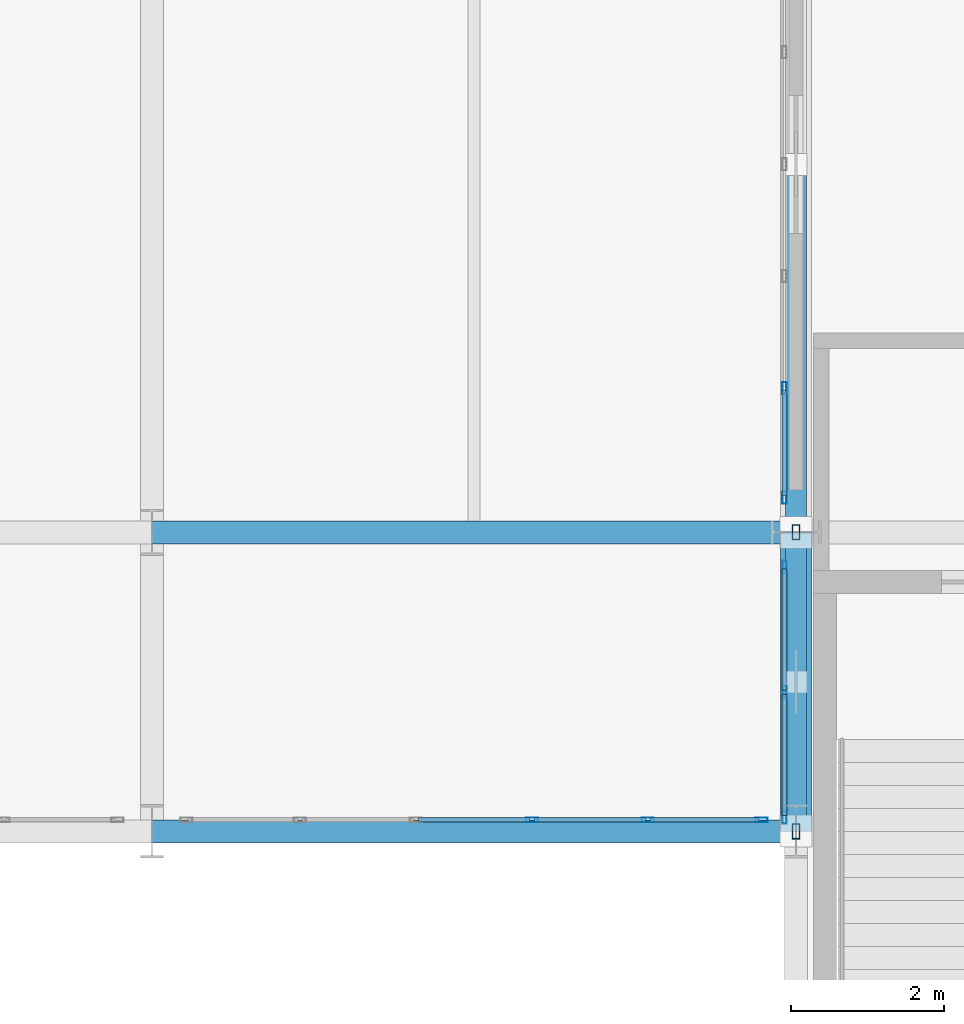
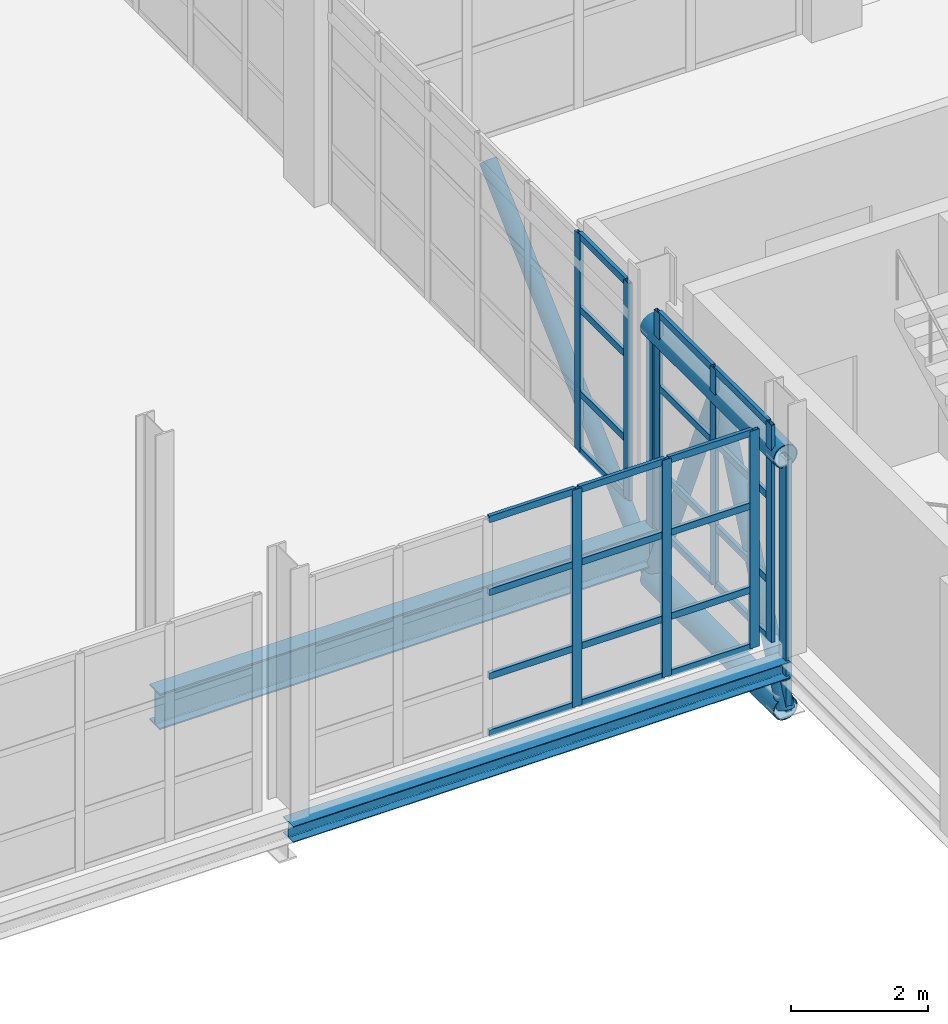
# One storey, part 15 of 130: 39 members, 2 beams, 3 elements without a shape of their own.
"""IFC4 building model written with IfcOpenShell, lengths in metres."""

import ifcopenshell
import ifcopenshell.guid

model = None  # the IFC model being written
_history = None  # IfcOwnerHistory: only IFC2X3 demands one
_inside = {}  # id of a spatial element -> (the spatial element, [elements in it])
_under = {}  # id of a project, library or spatial element -> (it, [spatial elements below it])
_declared = {}  # id of a project -> (the project, [libraries it declares])
_typed = {}  # id of a type object -> (the type object, [elements of that type])
_made_of = {}  # id of a material, layer set ... -> (it, [elements and type objects made of it])


def new_model(schema):
    """Start an empty IFC model of exactly this schema.

    Asked for "IFC4X3", IfcOpenShell would pick the latest addendum, in which some entities
    have other attributes; the version numbers below select the first issue.
    IFC2X3 requires an IfcOwnerHistory on every rooted entity: one is made here for all.
    """
    global model, _history
    if schema == "IFC4X3":
        model = ifcopenshell.file(schema_version=(4, 3, 0, 0))
    else:
        model = ifcopenshell.file(schema=schema)
    _inside.clear()
    _under.clear()
    _declared.clear()
    _typed.clear()
    _made_of.clear()
    _history = None
    if model.schema == "IFC2X3":
        org = make("IfcOrganization", Name="unknown")
        user = make(
            "IfcPersonAndOrganization",
            ThePerson=make("IfcPerson", FamilyName="unknown"),
            TheOrganization=org,
        )
        app = make(
            "IfcApplication",
            ApplicationDeveloper=org,
            Version="unknown",
            ApplicationFullName="unknown",
            ApplicationIdentifier="unknown",
        )
        _history = make(
            "IfcOwnerHistory",
            OwningUser=user,
            OwningApplication=app,
            ChangeAction="ADDED",
            CreationDate=0,
        )
    return model


def make(cls, **values):
    """One entity of the class cls with the attributes given. An attribute that is None is left unset."""
    return model.create_entity(
        cls, **{name: value for name, value in values.items() if value is not None}
    )


def rooted(cls, **values):
    """An entity with a GlobalId (a new one), such as an element, a storey or a relation."""
    return make(cls, GlobalId=ifcopenshell.guid.new(), OwnerHistory=_history, **values)


def si_unit(unit_type, name, prefix=None):
    """IfcSIUnit, for example si_unit("LENGTHUNIT", "METRE", prefix="MILLI")."""
    return make("IfcSIUnit", UnitType=unit_type, Prefix=prefix, Name=name)


def assignment(units):
    """IfcUnitAssignment: the units of a project."""
    return None if units is None else make("IfcUnitAssignment", Units=units)


def point(xyz):
    """IfcCartesianPoint."""
    return None if xyz is None else make("IfcCartesianPoint", Coordinates=xyz)


def direction(xyz):
    """IfcDirection."""
    return None if xyz is None else make("IfcDirection", DirectionRatios=xyz)


def frame(location, z_axis=None, x_axis=None):
    """IfcAxis2Placement3D, a coordinate frame: its origin and axes. An axis left out is left unset."""
    return make(
        "IfcAxis2Placement3D",
        Location=point(location),
        Axis=direction(z_axis),
        RefDirection=direction(x_axis),
    )


def frame_2d(location, x_axis=None):
    """IfcAxis2Placement2D, a coordinate frame in the plane: its origin and x axis."""
    return make(
        "IfcAxis2Placement2D", Location=point(location), RefDirection=direction(x_axis)
    )


def origin():
    """The frame at (0, 0, 0) with its axes left unset."""
    return frame((0.0, 0.0, 0.0))


def origin_2d():
    """The frame at (0, 0) in the plane with its x axis left unset."""
    return frame_2d((0.0, 0.0))


def place(relative_to, where):
    """IfcLocalPlacement: puts the frame where relative to a parent placement (None: the world)."""
    return make(
        "IfcLocalPlacement", PlacementRelTo=relative_to, RelativePlacement=where
    )


def context(
    kind, dimensions, precision=None, world=None, true_north=None, identifier=None
):
    """IfcGeometricRepresentationContext, for example the 3D "Model" context."""
    return make(
        "IfcGeometricRepresentationContext",
        ContextIdentifier=identifier,
        ContextType=kind,
        CoordinateSpaceDimension=dimensions,
        Precision=precision,
        WorldCoordinateSystem=world,
        TrueNorth=true_north,
    )


def subcontext(parent, identifier, kind, view, scale=None):
    """IfcGeometricRepresentationSubContext, for example "Body" below "Model"."""
    return make(
        "IfcGeometricRepresentationSubContext",
        ContextIdentifier=identifier,
        ContextType=kind,
        ParentContext=parent,
        TargetScale=scale,
        TargetView=view,
    )


def project(units=None, contexts=None):
    """IfcProject with its units and contexts."""
    return rooted(
        "IfcProject",
        Name="project",
        RepresentationContexts=contexts,
        UnitsInContext=assignment(units),
    )


def spatial(cls, under=None, at=None, **own):
    """A site, building, storey or space (cls), placed at a placement, below another one or the project."""
    s = rooted(cls, ObjectPlacement=at, **own)
    if under is not None:
        _under.setdefault(under.id(), (under, []))[1].append(s)
    return s


def profile(cls, at=None, kind="AREA", **sizes):
    """A parametric profile (cls). Its sizes go by their IFC names, for example OverallWidth=200.0."""
    return make(cls, ProfileType=kind, Position=at, **sizes)


def hollow_rectangle(**sizes):
    """IfcRectangleHollowProfileDef."""
    return profile("IfcRectangleHollowProfileDef", **sizes)


def hollow_circle(**sizes):
    """IfcCircleHollowProfileDef."""
    return profile("IfcCircleHollowProfileDef", **sizes)


def i_section(**sizes):
    """IfcIShapeProfileDef."""
    return profile("IfcIShapeProfileDef", **sizes)


def extrude(swept, where, along, depth):
    """IfcExtrudedAreaSolid: the profile swept, set in the frame where, extruded along a direction by depth."""
    return make(
        "IfcExtrudedAreaSolid",
        SweptArea=swept,
        Position=where,
        ExtrudedDirection=direction(along),
        Depth=depth,
    )


def shape(context_of_items, identifier, shape_type, items):
    """IfcShapeRepresentation: the items that make up one representation, for example the "Body"."""
    return make(
        "IfcShapeRepresentation",
        ContextOfItems=context_of_items,
        RepresentationIdentifier=identifier,
        RepresentationType=shape_type,
        Items=items,
    )


def material(Name=None, Category=None):
    """IfcMaterial."""
    return make("IfcMaterial", Name=Name, Category=Category)


def material_profile(
    of_material, cross_section, Name=None, Category=None, Priority=None
):
    """IfcMaterialProfile: a cross section and its material."""
    return make(
        "IfcMaterialProfile",
        Name=Name,
        Material=of_material,
        Profile=cross_section,
        Priority=Priority,
        Category=Category,
    )


def profile_set(profiles, Name=None, composite=None):
    """IfcMaterialProfileSet."""
    return make(
        "IfcMaterialProfileSet",
        Name=Name,
        MaterialProfiles=profiles,
        CompositeProfile=composite,
    )


def made_of(thing, what):
    """Note that an element or type object is made of a material, layer set ...; save() writes the relation."""
    if what is not None:
        _made_of.setdefault(what.id(), (what, []))[1].append(thing)
    return thing


def type_object(cls, material=None, **own):
    """A type object (cls), such as IfcWallType, which elements share."""
    return made_of(rooted(cls, **own), material)


def element(
    cls,
    number,
    at=None,
    inside=None,
    cuts=None,
    type_object=None,
    material=None,
    context=None,
    identifier="Body",
    shape_type=None,
    held_by="IfcProductDefinitionShape",
    body=None,
    shapes=None,
    **own,
):
    """One element of the class cls, such as IfcWall. Its Tag is "e" and its number.

    at: its placement. inside: the storey or other place that contains it. cuts: it is an
    opening in that element (IfcRelVoidsElement). A single representation is given by context,
    identifier, shape_type and body (its items); several are given by shapes. held_by: the class
    of the entity that holds the representations. save() writes the other relations.
    """
    e = rooted(cls, Tag="e%d" % number, ObjectPlacement=at, **own)
    if body is not None:
        shapes = [shape(context, identifier, shape_type, body)]
    if shapes is not None:
        e.Representation = make(held_by, Representations=shapes)
    if inside is not None:
        _inside.setdefault(inside.id(), (inside, []))[1].append(e)
    if cuts is not None:
        rooted(
            "IfcRelVoidsElement", RelatingBuildingElement=cuts, RelatedOpeningElement=e
        )
    if type_object is not None:
        _typed.setdefault(type_object.id(), (type_object, []))[1].append(e)
    return made_of(e, material)


def aggregate(whole, parts):
    """IfcRelAggregates: a whole, such as a stair, and the parts it consists of."""
    return rooted("IfcRelAggregates", RelatingObject=whole, RelatedObjects=parts)


def save(model, path):
    """Write the relations noted so far, then the file.

    IfcRelAggregates (storeys below a building ...), IfcRelContainedInSpatialStructure (elements
    in a storey), IfcRelDefinesByType, IfcRelAssociatesMaterial and IfcRelDeclares: one each for
    every whole, place, type object, material and project.
    """
    for whole, parts in _under.values():
        aggregate(whole, parts)
    for where, things in _inside.values():
        rooted(
            "IfcRelContainedInSpatialStructure",
            RelatedElements=things,
            RelatingStructure=where,
        )
    for kind, things in _typed.values():
        rooted("IfcRelDefinesByType", RelatedObjects=things, RelatingType=kind)
    for what, things in _made_of.values():
        rooted("IfcRelAssociatesMaterial", RelatedObjects=things, RelatingMaterial=what)
    for by, libraries in _declared.values():
        rooted("IfcRelDeclares", RelatingContext=by, RelatedDefinitions=libraries)
    model.write(path)


model = new_model("IFC4")

# Units and contexts
model_context = context("Model", 3, precision=1e-05, world=origin(), true_north=direction((0.0, 1.0)))
body_context = subcontext(model_context, "Body", "Model", "MODEL_VIEW")
ifc_project = project(units=[si_unit("LENGTHUNIT", "METRE"), si_unit("AREAUNIT", "SQUARE_METRE"), si_unit("VOLUMEUNIT", "CUBIC_METRE"), si_unit("PLANEANGLEUNIT", "RADIAN"), si_unit("MASSUNIT", "GRAM", prefix="KILO")], contexts=[model_context])

# Site, building, storey
site_placement = place(None, origin())
site = spatial("IfcSite", under=ifc_project, at=site_placement, CompositionType="ELEMENT")
building_placement = place(site_placement, origin())
building = spatial("IfcBuilding", under=site, at=building_placement, Name="Veltarok Museum of Natural Sciences", CompositionType="ELEMENT")
storey_placement = place(building_placement, frame((0.0, 0.0, 12.89990234375)))
storey = spatial("IfcBuildingStorey", under=building, at=storey_placement, Name="L02", CompositionType="ELEMENT", Elevation=12.89990234375)

# Curtain wall, members
ifc_material_1 = material(Name="Low-iron triple insulated glass", Category="glass")
curtain_wall_type_1 = type_object("IfcCurtainWallType", Name="Curtain Wall System CW-BRG-S-L02-3-756x388 (Bridge South Cantilever L02 3-4 756x388cm)", PredefinedType="NOTDEFINED", material=ifc_material_1)
curtain_wall_1_placement = place(storey_placement, origin())
curtain_wall_1 = element("IfcCurtainWall", 1, at=curtain_wall_1_placement, inside=storey, type_object=curtain_wall_type_1, Name="Curtain Wall CW-BRG-S-L02-3-756x388 CW-0029", PredefinedType="NOTDEFINED")
ifc_material_2 = material(Name="Thermally broken anodised aluminium", Category="aluminium")
ifc_material_profile_1 = material_profile(ifc_material_2, hollow_rectangle(XDim=0.06005859375, YDim=0.1201171875, WallThickness=0.0048828125, at=origin_2d()), Name="CW TRANSOM 60x120x5")
ifc_profile_set_1 = profile_set([ifc_material_profile_1], Name="Thermally broken anodised aluminium")
member_type_1 = type_object("IfcMemberType", Name="Curtain Wall Horizontal Transom 60x120x5", PredefinedType="USERDEFINED", material=ifc_profile_set_1)
member_1_placement = place(storey_placement, frame((26.674072265625, 5.85009765625, 0.030029296875), z_axis=(1.0, 0.0, 0.0), x_axis=(0.0, 1.0, 0.0)))
member_1 = element("IfcMember", 2, at=member_1_placement, type_object=member_type_1, Name="CW-BRG-S-L02-3-756x388 transom 3.1", ObjectType="TRANSOM", PredefinedType="USERDEFINED", context=body_context, shape_type="SweptSolid", body=[
    extrude(hollow_rectangle(XDim=0.06005859375, YDim=0.1201171875, WallThickness=0.0048828125, at=origin_2d()), origin(), (0.0, 0.0, 1.0), 1.451904296875),
])
member_2_placement = place(storey_placement, frame((26.674072265625, 5.85009765625, 1.050048828125), z_axis=(1.0, 0.0, 0.0), x_axis=(0.0, 1.0, 0.0)))
member_2 = element("IfcMember", 3, at=member_2_placement, type_object=member_type_1, Name="CW-BRG-S-L02-3-756x388 transom 3.2", ObjectType="TRANSOM", PredefinedType="USERDEFINED", context=body_context, shape_type="SweptSolid", body=[
    extrude(hollow_rectangle(XDim=0.06005859375, YDim=0.1201171875, WallThickness=0.0048828125, at=origin_2d()), origin(), (0.0, 0.0, 1.0), 1.451904296875),
])
member_3_placement = place(storey_placement, frame((26.674072265625, 5.85009765625, 2.550048828125), z_axis=(1.0, 0.0, 0.0), x_axis=(0.0, 1.0, 0.0)))
member_3 = element("IfcMember", 4, at=member_3_placement, type_object=member_type_1, Name="CW-BRG-S-L02-3-756x388 transom 3.3", ObjectType="TRANSOM", PredefinedType="USERDEFINED", context=body_context, shape_type="SweptSolid", body=[
    extrude(hollow_rectangle(XDim=0.06005859375, YDim=0.1201171875, WallThickness=0.0048828125, at=origin_2d()), origin(), (0.0, 0.0, 1.0), 1.451904296875),
])
member_4_placement = place(storey_placement, frame((26.674072265625, 5.85009765625, 3.85009765625), z_axis=(1.0, 0.0, 0.0), x_axis=(0.0, 1.0, 0.0)))
member_4 = element("IfcMember", 5, at=member_4_placement, type_object=member_type_1, Name="CW-BRG-S-L02-3-756x388 transom 3.4", ObjectType="TRANSOM", PredefinedType="USERDEFINED", context=body_context, shape_type="SweptSolid", body=[
    extrude(hollow_rectangle(XDim=0.06005859375, YDim=0.1201171875, WallThickness=0.0048828125, at=origin_2d()), origin(), (0.0, 0.0, 1.0), 1.451904296875),
])
member_5_placement = place(storey_placement, frame((28.18603515625, 5.85009765625, 0.030029296875), z_axis=(1.0, 0.0, 0.0), x_axis=(0.0, 1.0, 0.0)))
member_5 = element("IfcMember", 6, at=member_5_placement, type_object=member_type_1, Name="CW-BRG-S-L02-3-756x388 transom 4.1", ObjectType="TRANSOM", PredefinedType="USERDEFINED", context=body_context, shape_type="SweptSolid", body=[
    extrude(hollow_rectangle(XDim=0.06005859375, YDim=0.1201171875, WallThickness=0.0048828125, at=origin_2d()), origin(), (0.0, 0.0, 1.0), 1.451904296875),
])
member_6_placement = place(storey_placement, frame((28.18603515625, 5.85009765625, 1.050048828125), z_axis=(1.0, 0.0, 0.0), x_axis=(0.0, 1.0, 0.0)))
member_6 = element("IfcMember", 7, at=member_6_placement, type_object=member_type_1, Name="CW-BRG-S-L02-3-756x388 transom 4.2", ObjectType="TRANSOM", PredefinedType="USERDEFINED", context=body_context, shape_type="SweptSolid", body=[
    extrude(hollow_rectangle(XDim=0.06005859375, YDim=0.1201171875, WallThickness=0.0048828125, at=origin_2d()), origin(), (0.0, 0.0, 1.0), 1.451904296875),
])
member_7_placement = place(storey_placement, frame((28.18603515625, 5.85009765625, 2.550048828125), z_axis=(1.0, 0.0, 0.0), x_axis=(0.0, 1.0, 0.0)))
member_7 = element("IfcMember", 8, at=member_7_placement, type_object=member_type_1, Name="CW-BRG-S-L02-3-756x388 transom 4.3", ObjectType="TRANSOM", PredefinedType="USERDEFINED", context=body_context, shape_type="SweptSolid", body=[
    extrude(hollow_rectangle(XDim=0.06005859375, YDim=0.1201171875, WallThickness=0.0048828125, at=origin_2d()), origin(), (0.0, 0.0, 1.0), 1.451904296875),
])
member_8_placement = place(storey_placement, frame((28.18603515625, 5.85009765625, 3.85009765625), z_axis=(1.0, 0.0, 0.0), x_axis=(0.0, 1.0, 0.0)))
member_8 = element("IfcMember", 9, at=member_8_placement, type_object=member_type_1, Name="CW-BRG-S-L02-3-756x388 transom 4.4", ObjectType="TRANSOM", PredefinedType="USERDEFINED", context=body_context, shape_type="SweptSolid", body=[
    extrude(hollow_rectangle(XDim=0.06005859375, YDim=0.1201171875, WallThickness=0.0048828125, at=origin_2d()), origin(), (0.0, 0.0, 1.0), 1.451904296875),
])
member_9_placement = place(storey_placement, frame((29.697998046875, 5.85009765625, 0.030029296875), z_axis=(1.0, 0.0, 0.0), x_axis=(0.0, 1.0, 0.0)))
member_9 = element("IfcMember", 10, at=member_9_placement, type_object=member_type_1, Name="CW-BRG-S-L02-3-756x388 transom 5.1", ObjectType="TRANSOM", PredefinedType="USERDEFINED", context=body_context, shape_type="SweptSolid", body=[
    extrude(hollow_rectangle(XDim=0.06005859375, YDim=0.1201171875, WallThickness=0.0048828125, at=origin_2d()), origin(), (0.0, 0.0, 1.0), 1.422119140625),
])
member_10_placement = place(storey_placement, frame((29.697998046875, 5.85009765625, 1.050048828125), z_axis=(1.0, 0.0, 0.0), x_axis=(0.0, 1.0, 0.0)))
member_10 = element("IfcMember", 11, at=member_10_placement, type_object=member_type_1, Name="CW-BRG-S-L02-3-756x388 transom 5.2", ObjectType="TRANSOM", PredefinedType="USERDEFINED", context=body_context, shape_type="SweptSolid", body=[
    extrude(hollow_rectangle(XDim=0.06005859375, YDim=0.1201171875, WallThickness=0.0048828125, at=origin_2d()), origin(), (0.0, 0.0, 1.0), 1.422119140625),
])
member_11_placement = place(storey_placement, frame((29.697998046875, 5.85009765625, 2.550048828125), z_axis=(1.0, 0.0, 0.0), x_axis=(0.0, 1.0, 0.0)))
member_11 = element("IfcMember", 12, at=member_11_placement, type_object=member_type_1, Name="CW-BRG-S-L02-3-756x388 transom 5.3", ObjectType="TRANSOM", PredefinedType="USERDEFINED", context=body_context, shape_type="SweptSolid", body=[
    extrude(hollow_rectangle(XDim=0.06005859375, YDim=0.1201171875, WallThickness=0.0048828125, at=origin_2d()), origin(), (0.0, 0.0, 1.0), 1.422119140625),
])
member_12_placement = place(storey_placement, frame((29.697998046875, 5.85009765625, 3.85009765625), z_axis=(1.0, 0.0, 0.0), x_axis=(0.0, 1.0, 0.0)))
member_12 = element("IfcMember", 13, at=member_12_placement, type_object=member_type_1, Name="CW-BRG-S-L02-3-756x388 transom 5.4", ObjectType="TRANSOM", PredefinedType="USERDEFINED", context=body_context, shape_type="SweptSolid", body=[
    extrude(hollow_rectangle(XDim=0.06005859375, YDim=0.1201171875, WallThickness=0.0048828125, at=origin_2d()), origin(), (0.0, 0.0, 1.0), 1.422119140625),
])

curtain_wall_type_2 = type_object("IfcCurtainWallType", Name="Curtain Wall System CW-BRG-E-L02-CANT-333x388 (Bridge East Court L02 CANT 333x388cm)", PredefinedType="NOTDEFINED", material=ifc_material_1)
curtain_wall_2_placement = place(storey_placement, origin())
curtain_wall_2 = element("IfcCurtainWall", 14, at=curtain_wall_2_placement, inside=storey, type_object=curtain_wall_type_2, Name="Curtain Wall CW-BRG-E-L02-CANT-333x388 CW-0030", PredefinedType="NOTDEFINED")
member_13_placement = place(storey_placement, frame((31.449951171875, 5.909912109375, 0.030029296875), z_axis=(0.0, 1.0, 0.0), x_axis=(-1.0, 0.0, 0.0)))
member_13 = element("IfcMember", 15, at=member_13_placement, type_object=member_type_1, Name="CW-BRG-E-L02-CANT-333x388 transom 1.1", ObjectType="TRANSOM", PredefinedType="USERDEFINED", context=body_context, shape_type="SweptSolid", body=[
    extrude(hollow_rectangle(XDim=0.06005859375, YDim=0.1201171875, WallThickness=0.0048828125, at=origin_2d()), origin(), (0.0, 0.0, 1.0), 1.5751953125),
])
member_14_placement = place(storey_placement, frame((31.449951171875, 5.909912109375, 1.050048828125), z_axis=(0.0, 1.0, 0.0), x_axis=(-1.0, 0.0, 0.0)))
member_14 = element("IfcMember", 16, at=member_14_placement, type_object=member_type_1, Name="CW-BRG-E-L02-CANT-333x388 transom 1.2", ObjectType="TRANSOM", PredefinedType="USERDEFINED", context=body_context, shape_type="SweptSolid", body=[
    extrude(hollow_rectangle(XDim=0.06005859375, YDim=0.1201171875, WallThickness=0.0048828125, at=origin_2d()), origin(), (0.0, 0.0, 1.0), 1.5751953125),
])
member_15_placement = place(storey_placement, frame((31.449951171875, 5.909912109375, 2.550048828125), z_axis=(0.0, 1.0, 0.0), x_axis=(-1.0, 0.0, 0.0)))
member_15 = element("IfcMember", 17, at=member_15_placement, type_object=member_type_1, Name="CW-BRG-E-L02-CANT-333x388 transom 1.3", ObjectType="TRANSOM", PredefinedType="USERDEFINED", context=body_context, shape_type="SweptSolid", body=[
    extrude(hollow_rectangle(XDim=0.06005859375, YDim=0.1201171875, WallThickness=0.0048828125, at=origin_2d()), origin(), (0.0, 0.0, 1.0), 1.5751953125),
])
member_16_placement = place(storey_placement, frame((31.449951171875, 5.909912109375, 3.85009765625), z_axis=(0.0, 1.0, 0.0), x_axis=(-1.0, 0.0, 0.0)))
member_16 = element("IfcMember", 18, at=member_16_placement, type_object=member_type_1, Name="CW-BRG-E-L02-CANT-333x388 transom 1.4", ObjectType="TRANSOM", PredefinedType="USERDEFINED", context=body_context, shape_type="SweptSolid", body=[
    extrude(hollow_rectangle(XDim=0.06005859375, YDim=0.1201171875, WallThickness=0.0048828125, at=origin_2d()), origin(), (0.0, 0.0, 1.0), 1.5751953125),
])
member_17_placement = place(storey_placement, frame((31.449951171875, 7.544921875, 0.030029296875), z_axis=(0.0, 1.0, 0.0), x_axis=(-1.0, 0.0, 0.0)))
member_17 = element("IfcMember", 19, at=member_17_placement, type_object=member_type_1, Name="CW-BRG-E-L02-CANT-333x388 transom 2.1", ObjectType="TRANSOM", PredefinedType="USERDEFINED", context=body_context, shape_type="SweptSolid", body=[
    extrude(hollow_rectangle(XDim=0.06005859375, YDim=0.1201171875, WallThickness=0.0048828125, at=origin_2d()), origin(), (0.0, 0.0, 1.0), 1.5751953125),
])
member_18_placement = place(storey_placement, frame((31.449951171875, 7.544921875, 1.050048828125), z_axis=(0.0, 1.0, 0.0), x_axis=(-1.0, 0.0, 0.0)))
member_18 = element("IfcMember", 20, at=member_18_placement, type_object=member_type_1, Name="CW-BRG-E-L02-CANT-333x388 transom 2.2", ObjectType="TRANSOM", PredefinedType="USERDEFINED", context=body_context, shape_type="SweptSolid", body=[
    extrude(hollow_rectangle(XDim=0.06005859375, YDim=0.1201171875, WallThickness=0.0048828125, at=origin_2d()), origin(), (0.0, 0.0, 1.0), 1.5751953125),
])
member_19_placement = place(storey_placement, frame((31.449951171875, 7.544921875, 2.550048828125), z_axis=(0.0, 1.0, 0.0), x_axis=(-1.0, 0.0, 0.0)))
member_19 = element("IfcMember", 21, at=member_19_placement, type_object=member_type_1, Name="CW-BRG-E-L02-CANT-333x388 transom 2.3", ObjectType="TRANSOM", PredefinedType="USERDEFINED", context=body_context, shape_type="SweptSolid", body=[
    extrude(hollow_rectangle(XDim=0.06005859375, YDim=0.1201171875, WallThickness=0.0048828125, at=origin_2d()), origin(), (0.0, 0.0, 1.0), 1.5751953125),
])
member_20_placement = place(storey_placement, frame((31.449951171875, 7.544921875, 3.85009765625), z_axis=(0.0, 1.0, 0.0), x_axis=(-1.0, 0.0, 0.0)))
member_20 = element("IfcMember", 22, at=member_20_placement, type_object=member_type_1, Name="CW-BRG-E-L02-CANT-333x388 transom 2.4", ObjectType="TRANSOM", PredefinedType="USERDEFINED", context=body_context, shape_type="SweptSolid", body=[
    extrude(hollow_rectangle(XDim=0.06005859375, YDim=0.1201171875, WallThickness=0.0048828125, at=origin_2d()), origin(), (0.0, 0.0, 1.0), 1.5751953125),
])

curtain_wall_type_3 = type_object("IfcCurtainWallType", Name="Curtain Wall System CW-BRG-E-L02-BC-876x388 (Bridge East Court L02 BC 876x388cm)", PredefinedType="NOTDEFINED", material=ifc_material_1)
curtain_wall_3_placement = place(storey_placement, origin())
curtain_wall_3 = element("IfcCurtainWall", 23, at=curtain_wall_3_placement, inside=storey, type_object=curtain_wall_type_3, Name="Curtain Wall CW-BRG-E-L02-BC-876x388 CW-0031", PredefinedType="NOTDEFINED")
member_21_placement = place(storey_placement, frame((31.449951171875, 10.080078125, 0.030029296875), z_axis=(0.0, 1.0, 0.0), x_axis=(-1.0, 0.0, 0.0)))
member_21 = element("IfcMember", 24, at=member_21_placement, type_object=member_type_1, Name="CW-BRG-E-L02-BC-876x388 transom 1.1", ObjectType="TRANSOM", PredefinedType="USERDEFINED", context=body_context, shape_type="SweptSolid", body=[
    extrude(hollow_rectangle(XDim=0.06005859375, YDim=0.1201171875, WallThickness=0.0048828125, at=origin_2d()), origin(), (0.0, 0.0, 1.0), 1.369873046875),
])
member_22_placement = place(storey_placement, frame((31.449951171875, 10.080078125, 1.050048828125), z_axis=(0.0, 1.0, 0.0), x_axis=(-1.0, 0.0, 0.0)))
member_22 = element("IfcMember", 25, at=member_22_placement, type_object=member_type_1, Name="CW-BRG-E-L02-BC-876x388 transom 1.2", ObjectType="TRANSOM", PredefinedType="USERDEFINED", context=body_context, shape_type="SweptSolid", body=[
    extrude(hollow_rectangle(XDim=0.06005859375, YDim=0.1201171875, WallThickness=0.0048828125, at=origin_2d()), origin(), (0.0, 0.0, 1.0), 1.369873046875),
])
member_23_placement = place(storey_placement, frame((31.449951171875, 10.080078125, 2.550048828125), z_axis=(0.0, 1.0, 0.0), x_axis=(-1.0, 0.0, 0.0)))
member_23 = element("IfcMember", 26, at=member_23_placement, type_object=member_type_1, Name="CW-BRG-E-L02-BC-876x388 transom 1.3", ObjectType="TRANSOM", PredefinedType="USERDEFINED", context=body_context, shape_type="SweptSolid", body=[
    extrude(hollow_rectangle(XDim=0.06005859375, YDim=0.1201171875, WallThickness=0.0048828125, at=origin_2d()), origin(), (0.0, 0.0, 1.0), 1.369873046875),
])
member_24_placement = place(storey_placement, frame((31.449951171875, 10.080078125, 3.85009765625), z_axis=(0.0, 1.0, 0.0), x_axis=(-1.0, 0.0, 0.0)))
member_24 = element("IfcMember", 27, at=member_24_placement, type_object=member_type_1, Name="CW-BRG-E-L02-BC-876x388 transom 1.4", ObjectType="TRANSOM", PredefinedType="USERDEFINED", context=body_context, shape_type="SweptSolid", body=[
    extrude(hollow_rectangle(XDim=0.06005859375, YDim=0.1201171875, WallThickness=0.0048828125, at=origin_2d()), origin(), (0.0, 0.0, 1.0), 1.369873046875),
])

# Member
ifc_material_profile_2 = material_profile(ifc_material_2, hollow_rectangle(XDim=0.06005859375, YDim=0.159912109375, WallThickness=0.0048828125, at=origin_2d()), Name="CW MULLION 60x160x5")
ifc_profile_set_2 = profile_set([ifc_material_profile_2], Name="Thermally broken anodised aluminium")
member_type_2 = type_object("IfcMemberType", Name="Curtain Wall Vertical Mullion 60x160x5", PredefinedType="MULLION", material=ifc_profile_set_2)
member_25_placement = place(storey_placement, frame((28.156005859375, 5.85009765625, 0.0), z_axis=(0.0, 0.0, 1.0), x_axis=(0.0, 1.0, 0.0)))
member_25 = element("IfcMember", 28, at=member_25_placement, type_object=member_type_2, Name="CW-BRG-S-L02-3-756x388 mullion 4", PredefinedType="MULLION", context=body_context, shape_type="SweptSolid", body=[
    extrude(hollow_rectangle(XDim=0.06005859375, YDim=0.159912109375, WallThickness=0.0048828125, at=origin_2d()), origin(), (0.0, 0.0, 1.0), 3.880126953125),
])

member_26_placement = place(storey_placement, frame((29.66796875, 5.85009765625, 0.0), z_axis=(0.0, 0.0, 1.0), x_axis=(0.0, 1.0, 0.0)))
member_26 = element("IfcMember", 29, at=member_26_placement, type_object=member_type_2, Name="CW-BRG-S-L02-3-756x388 mullion 5", PredefinedType="MULLION", context=body_context, shape_type="SweptSolid", body=[
    extrude(hollow_rectangle(XDim=0.06005859375, YDim=0.159912109375, WallThickness=0.0048828125, at=origin_2d()), origin(), (0.0, 0.0, 1.0), 3.880126953125),
])

member_27_placement = place(storey_placement, frame((31.14990234375, 5.85009765625, 0.0), z_axis=(0.0, 0.0, 1.0), x_axis=(0.0, 1.0, 0.0)))
member_27 = element("IfcMember", 30, at=member_27_placement, type_object=member_type_2, Name="CW-BRG-S-L02-3-756x388 mullion 6", PredefinedType="MULLION", context=body_context, shape_type="SweptSolid", body=[
    extrude(hollow_rectangle(XDim=0.06005859375, YDim=0.159912109375, WallThickness=0.0048828125, at=origin_2d()), origin(), (0.0, 0.0, 1.0), 3.880126953125),
])

aggregate(curtain_wall_1, [member_25, member_26, member_27, member_1, member_2, member_3, member_4, member_5, member_6, member_7, member_8, member_9, member_10, member_11, member_12])

member_28_placement = place(storey_placement, frame((31.449951171875, 5.8798828125, 0.0), z_axis=(0.0, 0.0, 1.0), x_axis=(-1.0, 0.0, 0.0)))
member_28 = element("IfcMember", 31, at=member_28_placement, type_object=member_type_2, Name="CW-BRG-E-L02-CANT-333x388 mullion 1", PredefinedType="MULLION", context=body_context, shape_type="SweptSolid", body=[
    extrude(hollow_rectangle(XDim=0.06005859375, YDim=0.159912109375, WallThickness=0.0048828125, at=origin_2d()), origin(), (0.0, 0.0, 1.0), 3.880126953125),
])

member_29_placement = place(storey_placement, frame((31.449951171875, 7.514892578125, 0.0), z_axis=(0.0, 0.0, 1.0), x_axis=(-1.0, 0.0, 0.0)))
member_29 = element("IfcMember", 32, at=member_29_placement, type_object=member_type_2, Name="CW-BRG-E-L02-CANT-333x388 mullion 2", PredefinedType="MULLION", context=body_context, shape_type="SweptSolid", body=[
    extrude(hollow_rectangle(XDim=0.06005859375, YDim=0.159912109375, WallThickness=0.0048828125, at=origin_2d()), origin(), (0.0, 0.0, 1.0), 3.880126953125),
])

member_30_placement = place(storey_placement, frame((31.449951171875, 9.14990234375, 0.0), z_axis=(0.0, 0.0, 1.0), x_axis=(-1.0, 0.0, 0.0)))
member_30 = element("IfcMember", 33, at=member_30_placement, type_object=member_type_2, Name="CW-BRG-E-L02-CANT-333x388 mullion 3", PredefinedType="MULLION", context=body_context, shape_type="SweptSolid", body=[
    extrude(hollow_rectangle(XDim=0.06005859375, YDim=0.159912109375, WallThickness=0.0048828125, at=origin_2d()), origin(), (0.0, 0.0, 1.0), 3.880126953125),
])

aggregate(curtain_wall_2, [member_28, member_29, member_30, member_13, member_14, member_15, member_16, member_17, member_18, member_19, member_20])

member_31_placement = place(storey_placement, frame((31.449951171875, 10.050048828125, 0.0), z_axis=(0.0, 0.0, 1.0), x_axis=(-1.0, 0.0, 0.0)))
member_31 = element("IfcMember", 34, at=member_31_placement, type_object=member_type_2, Name="CW-BRG-E-L02-BC-876x388 mullion 1", PredefinedType="MULLION", context=body_context, shape_type="SweptSolid", body=[
    extrude(hollow_rectangle(XDim=0.06005859375, YDim=0.159912109375, WallThickness=0.0048828125, at=origin_2d()), origin(), (0.0, 0.0, 1.0), 3.880126953125),
])

member_32_placement = place(storey_placement, frame((31.449951171875, 11.47998046875, 0.0), z_axis=(0.0, 0.0, 1.0), x_axis=(-1.0, 0.0, 0.0)))
member_32 = element("IfcMember", 35, at=member_32_placement, type_object=member_type_2, Name="CW-BRG-E-L02-BC-876x388 mullion 2", PredefinedType="MULLION", context=body_context, shape_type="SweptSolid", body=[
    extrude(hollow_rectangle(XDim=0.06005859375, YDim=0.159912109375, WallThickness=0.0048828125, at=origin_2d()), origin(), (0.0, 0.0, 1.0), 3.880126953125),
])

aggregate(curtain_wall_3, [member_31, member_32, member_21, member_22, member_23, member_24])

# Beams
ifc_material_3 = material(Name="Steel S355J2", Category="steel")
ifc_material_profile_3 = material_profile(ifc_material_3, i_section(OverallWidth=0.300048828125, OverallDepth=0.2900390625, WebThickness=0.008544921875, FlangeThickness=0.013916015625, FilletRadius=0.027099609375, at=origin_2d()), Name="HEA 300")
ifc_profile_set_3 = profile_set([ifc_material_profile_3], Name="Steel S355J2")
beam_type_1 = type_object("IfcBeamType", Name="Glazed Hall Edge Spandrel HEA 300", PredefinedType="SPANDREL", material=ifc_profile_set_3)
beam_1_placement = place(storey_placement, frame((23.199951171875, 5.699951171875, -0.39501953125), z_axis=(1.0, 0.0, 0.0), x_axis=(0.0, 1.0, 0.0)))
element("IfcBeam", 36, at=beam_1_placement, inside=storey, type_object=beam_type_1, Name="Bridge South Edge Spandrel L02 3-4", PredefinedType="SPANDREL", context=body_context, shape_type="SweptSolid", body=[
    extrude(i_section(OverallWidth=0.300048828125, OverallDepth=0.2900390625, WebThickness=0.008544921875, FlangeThickness=0.013916015625, FilletRadius=0.027099609375, at=origin_2d()), origin(), (0.0, 0.0, 1.0), 8.400146484375),
])
ifc_material_profile_4 = material_profile(ifc_material_3, i_section(OverallWidth=0.300048828125, OverallDepth=0.639892578125, WebThickness=0.013427734375, FlangeThickness=0.02587890625, FilletRadius=0.027099609375, at=origin_2d()), Name="HEA 650")
ifc_profile_set_4 = profile_set([ifc_material_profile_4], Name="Steel S355J2")
beam_type_2 = type_object("IfcBeamType", Name="Heavy Exhibition Girder HEA 650", PredefinedType="BEAM", material=ifc_profile_set_4)
beam_2_placement = place(storey_placement, frame((23.199951171875, 9.60009765625, -0.56982421875), z_axis=(1.0, 0.0, 0.0), x_axis=(0.0, 1.0, 0.0)))
element("IfcBeam", 37, at=beam_2_placement, inside=storey, type_object=beam_type_2, Name="Beam BM-G08 L02 3-4/B", PredefinedType="BEAM", context=body_context, shape_type="SweptSolid", body=[
    extrude(i_section(OverallWidth=0.300048828125, OverallDepth=0.639892578125, WebThickness=0.013427734375, FlangeThickness=0.02587890625, FilletRadius=0.027099609375, at=origin_2d()), origin(), (0.0, 0.0, 1.0), 8.400146484375),
])

# Members
ifc_material_4 = material(Name="Oxide-red painted Steel S355J2", Category="steel")
ifc_material_profile_5 = material_profile(ifc_material_4, hollow_rectangle(XDim=0.10009765625, YDim=0.199951171875, WallThickness=0.008056640625, at=origin_2d()), Name="RHS 200x100x8")
ifc_profile_set_5 = profile_set([ifc_material_profile_5], Name="Oxide-red painted Steel S355J2")
member_type_3 = type_object("IfcMemberType", Name="Monitor and Transfer Vertical Post RHS 200x100x8", PredefinedType="STRUT", material=ifc_profile_set_5)
for number, where, z_axis, x_axis, name in (
    (38, (31.60009765625, 5.699951171875, -1.169921875), (0.0, 0.0, 1.0), (1.0, 0.0, 0.0), "Transfer Truss Post 4 Y=5.7"),
    (39, (31.60009765625, 9.60009765625, -1.169921875), (0.0, 0.0, 1.0), (1.0, 0.0, 0.0), "Transfer Truss Post 4 Y=9.6"),
):
    element("IfcMember", number, at=place(storey_placement, frame(where, z_axis=z_axis, x_axis=x_axis)), inside=storey, type_object=member_type_3, Name=name, PredefinedType="STRUT", context=body_context, shape_type="SweptSolid", body=[
        extrude(hollow_rectangle(XDim=0.10009765625, YDim=0.199951171875, WallThickness=0.008056640625, at=origin_2d()), origin(), (0.0, 0.0, 1.0), 4.5),
    ])
ifc_material_profile_6 = material_profile(ifc_material_4, hollow_circle(Radius=0.203125, WallThickness=0.01611328125, at=origin_2d()), Name="CHS 406.4x16")
ifc_profile_set_6 = profile_set([ifc_material_profile_6], Name="Oxide-red painted Steel S355J2")
member_type_4 = type_object("IfcMemberType", Name="Transfer Truss Chord CHS 406.4x16", PredefinedType="CHORD", material=ifc_profile_set_6)
for number, where, z_axis, x_axis, name in (
    (40, (31.60009765625, 5.699951171875, -1.169921875), (0.0, 1.0, 0.0), (-1.0, 0.0, 0.0), "Transfer Truss BC 4 1"),
    (41, (31.60009765625, 5.699951171875, 3.330078125), (0.0, 1.0, 0.0), (-1.0, 0.0, 0.0), "Transfer Truss TC 4 1"),
):
    element("IfcMember", number, at=place(storey_placement, frame(where, z_axis=z_axis, x_axis=x_axis)), inside=storey, type_object=member_type_4, Name=name, PredefinedType="CHORD", context=body_context, shape_type="SweptSolid", body=[
        extrude(hollow_circle(Radius=0.203125, WallThickness=0.01611328125, at=origin_2d()), origin(), (0.0, 0.0, 1.0), 3.900146484375),
    ])
ifc_material_profile_7 = material_profile(ifc_material_4, hollow_circle(Radius=0.136474609375, WallThickness=0.012451171875, at=origin_2d()), Name="CHS 273x12.5")
ifc_profile_set_7 = profile_set([ifc_material_profile_7], Name="Oxide-red painted Steel S355J2")
member_type_5 = type_object("IfcMemberType", Name="Transfer Truss Web Diagonal CHS 273x12.5", PredefinedType="BRACE", material=ifc_profile_set_7)
for number, where, z_axis, x_axis, name in (
    (42, (31.60009765625, 5.699951171875, -1.169921875), (0.0, 0.397599055448, 0.917559257545), (-1.0, 0.0, 0.0), "Transfer Truss Diagonal 4 19"),
    (43, (31.60009765625, 7.64990234375, 3.330078125), (0.0, 0.397640965385, -0.91754109589), (-1.0, 0.0, 0.0), "Transfer Truss Diagonal 4 20"),
):
    element("IfcMember", number, at=place(storey_placement, frame(where, z_axis=z_axis, x_axis=x_axis)), inside=storey, type_object=member_type_5, Name=name, PredefinedType="BRACE", context=body_context, shape_type="SweptSolid", body=[
        extrude(hollow_circle(Radius=0.136474609375, WallThickness=0.012451171875, at=origin_2d()), origin(), (0.0, 0.0, 1.0), 4.904296875),
    ])
member_33_placement = place(storey_placement, frame((31.60009765625, 9.60009765625, -1.169921875), z_axis=(0.0, 0.7295233178, 0.683955940676), x_axis=(-1.0, 0.0, 0.0)))
element("IfcMember", 44, at=member_33_placement, inside=storey, type_object=member_type_5, Name="Transfer Truss Diagonal 4 23", PredefinedType="BRACE", context=body_context, shape_type="SweptSolid", body=[
    extrude(hollow_circle(Radius=0.136474609375, WallThickness=0.012451171875, at=origin_2d()), origin(), (0.0, 0.0, 1.0), 6.579345703125),
])

save(model, "model.ifc")
